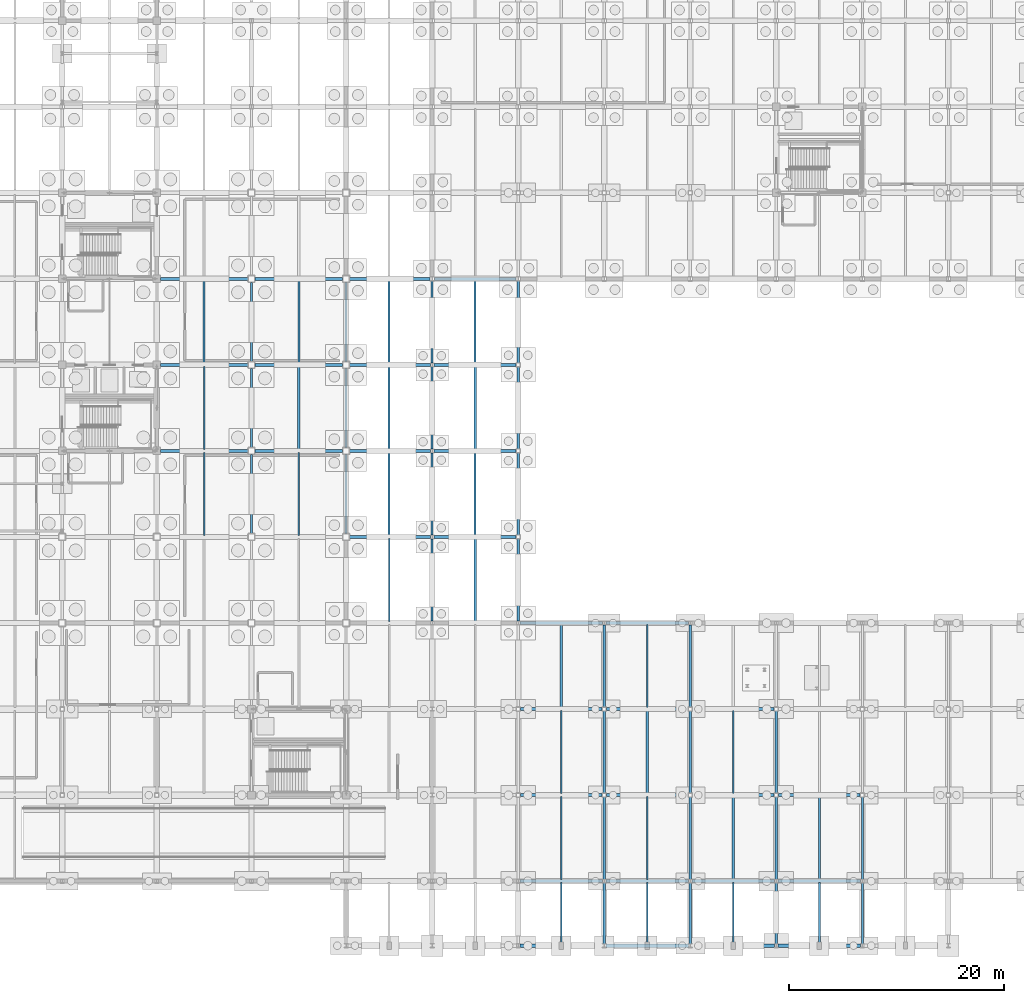
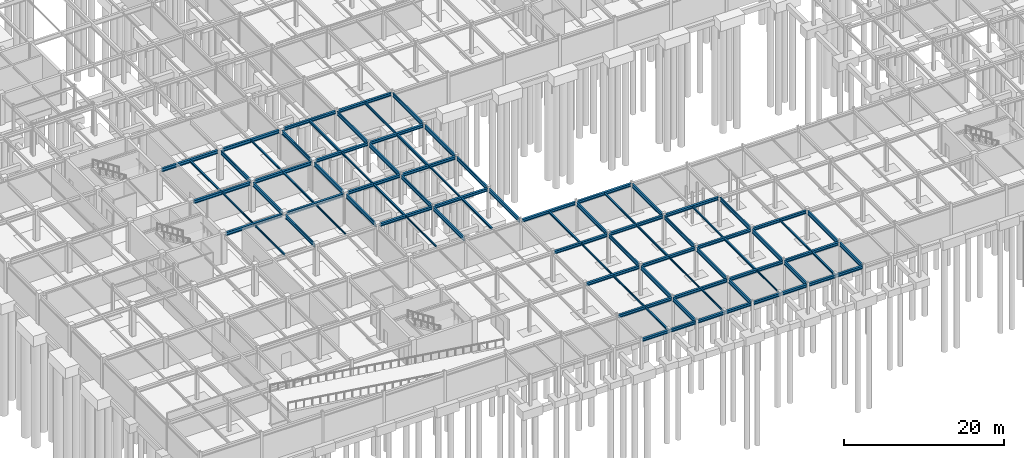
# One storey, part 34 of 72: 85 beams.
"""IFC4 building model written with IfcOpenShell, lengths in metres."""

from ifc_helpers import new_model, si_unit, direction, frame, origin, origin_2d, place, context, subcontext, project, spatial, i_section, extrude, material, material_profile, profile_set, type_object, element, save


model = new_model("IFC4")

# Units and contexts
model_context = context("Model", 3, precision=1e-05, world=origin(), true_north=direction((0.0, 1.0)))
body_context = subcontext(model_context, "Body", "Model", "MODEL_VIEW")
ifc_project = project(units=[si_unit("LENGTHUNIT", "METRE"), si_unit("AREAUNIT", "SQUARE_METRE"), si_unit("VOLUMEUNIT", "CUBIC_METRE"), si_unit("PLANEANGLEUNIT", "RADIAN"), si_unit("MASSUNIT", "GRAM", prefix="KILO")], contexts=[model_context])

# Site, building, storey
site_placement = place(None, origin())
site = spatial("IfcSite", under=ifc_project, at=site_placement, CompositionType="ELEMENT")
building_placement = place(site_placement, origin())
building = spatial("IfcBuilding", under=site, at=building_placement, Name="Zhaolan Boulevard Law Courts", CompositionType="ELEMENT")
storey_placement = place(building_placement, frame((0.0, 0.0, -4.800048828125)))
storey = spatial("IfcBuildingStorey", under=building, at=storey_placement, Name="B1", CompositionType="ELEMENT", Elevation=-4.800048828125)

# Beams
ifc_material_1 = material(Name="Structural steel Q355B", Category="steel")
ifc_material_profile_1 = material_profile(ifc_material_1, i_section(OverallWidth=0.300048828125, OverallDepth=0.43994140625, WebThickness=0.010986328125, FlangeThickness=0.01806640625, FilletRadius=0.02001953125, at=origin_2d()), Name="HM440x300")
ifc_profile_set_1 = profile_set([ifc_material_profile_1], Name="Structural steel Q355B")
beam_type_1 = type_object("IfcBeamType", Name="GIRDER HM440", PredefinedType="BEAM", material=ifc_profile_set_1)
for number, where, z_axis, x_axis, name in (
    (1, (60.1708984375, 0.0, 4.328125), (1.0, 0.0, 0.0), (0.0, 1.0, 0.0), "Beam BX-L00-8-9-A"),
    (2, (68.1708984375, 0.0, 4.328125), (1.0, 0.0, 0.0), (0.0, 1.0, 0.0), "Beam BX-L00-9-10-A"),
    (3, (76.1708984375, 0.0, 4.328125), (1.0, 0.0, 0.0), (0.0, 1.0, 0.0), "Beam BX-L00-10-11-A"),
    (4, (84.1708984375, 0.0, 4.328125), (1.0, 0.0, 0.0), (0.0, 1.0, 0.0), "Beam BX-L00-11-12-A"),
    (5, (60.1708984375, 6.0, 4.278076171875), (1.0, 0.0, 0.0), (0.0, 1.0, 0.0), "Beam BX-L00-8-9-B"),
    (6, (68.1708984375, 6.0, 4.278076171875), (1.0, 0.0, 0.0), (0.0, 1.0, 0.0), "Beam BX-L00-9-10-B"),
    (7, (76.1708984375, 6.0, 4.278076171875), (1.0, 0.0, 0.0), (0.0, 1.0, 0.0), "Beam BX-L00-10-11-B"),
    (8, (84.1708984375, 6.0, 4.278076171875), (1.0, 0.0, 0.0), (0.0, 1.0, 0.0), "Beam BX-L00-11-12-B"),
):
    element("IfcBeam", number, at=place(storey_placement, frame(where, z_axis=z_axis, x_axis=x_axis)), inside=storey, type_object=beam_type_1, Name=name, PredefinedType="BEAM", context=body_context, shape_type="SweptSolid", body=[
        extrude(i_section(OverallWidth=0.300048828125, OverallDepth=0.43994140625, WebThickness=0.010986328125, FlangeThickness=0.01806640625, FilletRadius=0.02001953125, at=origin_2d()), origin(), (0.0, 0.0, 1.0), 7.658203125),
    ])
for number, where, z_axis, x_axis, name in (
    (9, (60.196044921875, 14.0, 4.278076171875), (1.0, 0.0, 0.0), (0.0, 1.0, 0.0), "Beam BX-L00-8-9-C"),
    (10, (68.196044921875, 14.0, 4.278076171875), (1.0, 0.0, 0.0), (0.0, 1.0, 0.0), "Beam BX-L00-9-10-C"),
    (11, (76.196044921875, 14.0, 4.278076171875), (1.0, 0.0, 0.0), (0.0, 1.0, 0.0), "Beam BX-L00-10-11-C"),
    (12, (84.196044921875, 14.0, 4.278076171875), (1.0, 0.0, 0.0), (0.0, 1.0, 0.0), "Beam BX-L00-11-12-C"),
    (13, (60.196044921875, 22.0, 4.278076171875), (1.0, 0.0, 0.0), (0.0, 1.0, 0.0), "Beam BX-L00-8-9-D"),
    (14, (68.196044921875, 22.0, 4.278076171875), (1.0, 0.0, 0.0), (0.0, 1.0, 0.0), "Beam BX-L00-9-10-D"),
    (15, (76.196044921875, 22.0, 4.278076171875), (1.0, 0.0, 0.0), (0.0, 1.0, 0.0), "Beam BX-L00-10-11-D"),
):
    element("IfcBeam", number, at=place(storey_placement, frame(where, z_axis=z_axis, x_axis=x_axis)), inside=storey, type_object=beam_type_1, Name=name, PredefinedType="BEAM", context=body_context, shape_type="SweptSolid", body=[
        extrude(i_section(OverallWidth=0.300048828125, OverallDepth=0.43994140625, WebThickness=0.010986328125, FlangeThickness=0.01806640625, FilletRadius=0.02001953125, at=origin_2d()), origin(), (0.0, 0.0, 1.0), 7.60791015625),
    ])
for number, where, z_axis, x_axis, name in (
    (16, (60.1708984375, 30.0, 4.278076171875), (1.0, 0.0, 0.0), (0.0, 1.0, 0.0), "Beam BX-L00-8-9-E"),
    (17, (68.1708984375, 30.0, 4.278076171875), (1.0, 0.0, 0.0), (0.0, 1.0, 0.0), "Beam BX-L00-9-10-E"),
):
    element("IfcBeam", number, at=place(storey_placement, frame(where, z_axis=z_axis, x_axis=x_axis)), inside=storey, type_object=beam_type_1, Name=name, PredefinedType="BEAM", context=body_context, shape_type="SweptSolid", body=[
        extrude(i_section(OverallWidth=0.300048828125, OverallDepth=0.43994140625, WebThickness=0.010986328125, FlangeThickness=0.01806640625, FilletRadius=0.02001953125, at=origin_2d()), origin(), (0.0, 0.0, 1.0), 7.658203125),
    ])
beam_1_placement = place(storey_placement, frame((44.321044921875, 38.0, 4.328125), z_axis=(1.0, 0.0, 0.0), x_axis=(0.0, 1.0, 0.0)))
element("IfcBeam", 18, at=beam_1_placement, inside=storey, type_object=beam_type_1, Name="Beam BX-L00-6-7-F", PredefinedType="BEAM", context=body_context, shape_type="SweptSolid", body=[
    extrude(i_section(OverallWidth=0.300048828125, OverallDepth=0.43994140625, WebThickness=0.010986328125, FlangeThickness=0.01806640625, FilletRadius=0.02001953125, at=origin_2d()), origin(), (0.0, 0.0, 1.0), 7.508056640625),
])
beam_2_placement = place(storey_placement, frame((52.1708984375, 38.0, 4.298095703125), z_axis=(1.0, 0.0, 0.0), x_axis=(0.0, 1.0, 0.0)))
element("IfcBeam", 19, at=beam_2_placement, inside=storey, type_object=beam_type_1, Name="Beam BX-L00-7-8-F", PredefinedType="BEAM", context=body_context, shape_type="SweptSolid", body=[
    extrude(i_section(OverallWidth=0.300048828125, OverallDepth=0.43994140625, WebThickness=0.010986328125, FlangeThickness=0.01806640625, FilletRadius=0.02001953125, at=origin_2d()), origin(), (0.0, 0.0, 1.0), 7.633056640625),
])
beam_3_placement = place(storey_placement, frame((44.321044921875, 46.0, 4.328125), z_axis=(1.0, 0.0, 0.0), x_axis=(0.0, 1.0, 0.0)))
element("IfcBeam", 20, at=beam_3_placement, inside=storey, type_object=beam_type_1, Name="Beam BX-L00-6-7-G", PredefinedType="BEAM", context=body_context, shape_type="SweptSolid", body=[
    extrude(i_section(OverallWidth=0.300048828125, OverallDepth=0.43994140625, WebThickness=0.010986328125, FlangeThickness=0.01806640625, FilletRadius=0.02001953125, at=origin_2d()), origin(), (0.0, 0.0, 1.0), 7.508056640625),
])
beam_4_placement = place(storey_placement, frame((52.1708984375, 46.0, 4.298095703125), z_axis=(1.0, 0.0, 0.0), x_axis=(0.0, 1.0, 0.0)))
element("IfcBeam", 21, at=beam_4_placement, inside=storey, type_object=beam_type_1, Name="Beam BX-L00-7-8-G", PredefinedType="BEAM", context=body_context, shape_type="SweptSolid", body=[
    extrude(i_section(OverallWidth=0.300048828125, OverallDepth=0.43994140625, WebThickness=0.010986328125, FlangeThickness=0.01806640625, FilletRadius=0.02001953125, at=origin_2d()), origin(), (0.0, 0.0, 1.0), 7.633056640625),
])
beam_5_placement = place(storey_placement, frame((44.321044921875, 54.0, 4.328125), z_axis=(1.0, 0.0, 0.0), x_axis=(0.0, 1.0, 0.0)))
element("IfcBeam", 22, at=beam_5_placement, inside=storey, type_object=beam_type_1, Name="Beam BX-L00-6-7-H", PredefinedType="BEAM", context=body_context, shape_type="SweptSolid", body=[
    extrude(i_section(OverallWidth=0.300048828125, OverallDepth=0.43994140625, WebThickness=0.010986328125, FlangeThickness=0.01806640625, FilletRadius=0.02001953125, at=origin_2d()), origin(), (0.0, 0.0, 1.0), 7.508056640625),
])
beam_6_placement = place(storey_placement, frame((52.1708984375, 54.0, 4.298095703125), z_axis=(1.0, 0.0, 0.0), x_axis=(0.0, 1.0, 0.0)))
element("IfcBeam", 23, at=beam_6_placement, inside=storey, type_object=beam_type_1, Name="Beam BX-L00-7-8-H", PredefinedType="BEAM", context=body_context, shape_type="SweptSolid", body=[
    extrude(i_section(OverallWidth=0.300048828125, OverallDepth=0.43994140625, WebThickness=0.010986328125, FlangeThickness=0.01806640625, FilletRadius=0.02001953125, at=origin_2d()), origin(), (0.0, 0.0, 1.0), 7.633056640625),
])
beam_7_placement = place(storey_placement, frame((44.321044921875, 62.0, 4.328125), z_axis=(1.0, 0.0, 0.0), x_axis=(0.0, 1.0, 0.0)))
element("IfcBeam", 24, at=beam_7_placement, inside=storey, type_object=beam_type_1, Name="Beam BX-L00-6-7-J", PredefinedType="BEAM", context=body_context, shape_type="SweptSolid", body=[
    extrude(i_section(OverallWidth=0.300048828125, OverallDepth=0.43994140625, WebThickness=0.010986328125, FlangeThickness=0.01806640625, FilletRadius=0.02001953125, at=origin_2d()), origin(), (0.0, 0.0, 1.0), 7.48291015625),
])
beam_8_placement = place(storey_placement, frame((52.196044921875, 62.0, 4.278076171875), z_axis=(1.0, 0.0, 0.0), x_axis=(0.0, 1.0, 0.0)))
element("IfcBeam", 25, at=beam_8_placement, inside=storey, type_object=beam_type_1, Name="Beam BX-L00-7-8-J", PredefinedType="BEAM", context=body_context, shape_type="SweptSolid", body=[
    extrude(i_section(OverallWidth=0.300048828125, OverallDepth=0.43994140625, WebThickness=0.010986328125, FlangeThickness=0.01806640625, FilletRadius=0.02001953125, at=origin_2d()), origin(), (0.0, 0.0, 1.0), 7.60791015625),
])
ifc_material_2 = material(Name="Structural steel Q355B", Category="steel")
ifc_material_profile_2 = material_profile(ifc_material_2, i_section(OverallWidth=0.300048828125, OverallDepth=0.488037109375, WebThickness=0.010986328125, FlangeThickness=0.01806640625, FilletRadius=0.02197265625, at=origin_2d()), Name="HM488x300")
ifc_profile_set_2 = profile_set([ifc_material_profile_2], Name="Structural steel Q355B")
beam_type_2 = type_object("IfcBeamType", Name="GIRDER HM500", PredefinedType="BEAM", material=ifc_profile_set_2)
beam_9_placement = place(storey_placement, frame((26.74609375, 46.0, 4.254150390625), z_axis=(1.0, 0.0, 0.0), x_axis=(0.0, 1.0, 0.0)))
element("IfcBeam", 26, at=beam_9_placement, inside=storey, type_object=beam_type_2, Name="Beam BX-L00-4-5-G", PredefinedType="BEAM", context=body_context, shape_type="SweptSolid", body=[
    extrude(i_section(OverallWidth=0.300048828125, OverallDepth=0.488037109375, WebThickness=0.010986328125, FlangeThickness=0.01806640625, FilletRadius=0.02197265625, at=origin_2d()), origin(), (0.0, 0.0, 1.0), 8.1328125),
])
beam_10_placement = place(storey_placement, frame((35.52099609375, 46.0, 4.254150390625), z_axis=(1.0, 0.0, 0.0), x_axis=(0.0, 1.0, 0.0)))
element("IfcBeam", 27, at=beam_10_placement, inside=storey, type_object=beam_type_2, Name="Beam BX-L00-5-6-G", PredefinedType="BEAM", context=body_context, shape_type="SweptSolid", body=[
    extrude(i_section(OverallWidth=0.300048828125, OverallDepth=0.488037109375, WebThickness=0.010986328125, FlangeThickness=0.01806640625, FilletRadius=0.02197265625, at=origin_2d()), origin(), (0.0, 0.0, 1.0), 8.157958984375),
])
beam_11_placement = place(storey_placement, frame((26.74609375, 54.0, 4.254150390625), z_axis=(1.0, 0.0, 0.0), x_axis=(0.0, 1.0, 0.0)))
element("IfcBeam", 28, at=beam_11_placement, inside=storey, type_object=beam_type_2, Name="Beam BX-L00-4-5-H", PredefinedType="BEAM", context=body_context, shape_type="SweptSolid", body=[
    extrude(i_section(OverallWidth=0.300048828125, OverallDepth=0.488037109375, WebThickness=0.010986328125, FlangeThickness=0.01806640625, FilletRadius=0.02197265625, at=origin_2d()), origin(), (0.0, 0.0, 1.0), 8.1328125),
])
beam_12_placement = place(storey_placement, frame((35.52099609375, 54.0, 4.254150390625), z_axis=(1.0, 0.0, 0.0), x_axis=(0.0, 1.0, 0.0)))
element("IfcBeam", 29, at=beam_12_placement, inside=storey, type_object=beam_type_2, Name="Beam BX-L00-5-6-H", PredefinedType="BEAM", context=body_context, shape_type="SweptSolid", body=[
    extrude(i_section(OverallWidth=0.300048828125, OverallDepth=0.488037109375, WebThickness=0.010986328125, FlangeThickness=0.01806640625, FilletRadius=0.02197265625, at=origin_2d()), origin(), (0.0, 0.0, 1.0), 8.157958984375),
])
beam_13_placement = place(storey_placement, frame((26.74609375, 62.0, 4.254150390625), z_axis=(1.0, 0.0, 0.0), x_axis=(0.0, 1.0, 0.0)))
element("IfcBeam", 30, at=beam_13_placement, inside=storey, type_object=beam_type_2, Name="Beam BX-L00-4-5-J", PredefinedType="BEAM", context=body_context, shape_type="SweptSolid", body=[
    extrude(i_section(OverallWidth=0.300048828125, OverallDepth=0.488037109375, WebThickness=0.010986328125, FlangeThickness=0.01806640625, FilletRadius=0.02197265625, at=origin_2d()), origin(), (0.0, 0.0, 1.0), 8.1328125),
])
beam_14_placement = place(storey_placement, frame((35.52099609375, 62.0, 4.254150390625), z_axis=(1.0, 0.0, 0.0), x_axis=(0.0, 1.0, 0.0)))
element("IfcBeam", 31, at=beam_14_placement, inside=storey, type_object=beam_type_2, Name="Beam BX-L00-5-6-J", PredefinedType="BEAM", context=body_context, shape_type="SweptSolid", body=[
    extrude(i_section(OverallWidth=0.300048828125, OverallDepth=0.488037109375, WebThickness=0.010986328125, FlangeThickness=0.01806640625, FilletRadius=0.02197265625, at=origin_2d()), origin(), (0.0, 0.0, 1.0), 8.157958984375),
])
ifc_material_3 = material(Name="Structural steel Q355B", Category="steel")
ifc_material_profile_3 = material_profile(ifc_material_3, i_section(OverallWidth=0.199951171875, OverallDepth=0.60009765625, WebThickness=0.010986328125, FlangeThickness=0.01708984375, FilletRadius=0.02001953125, at=origin_2d()), Name="HN600x200")
ifc_profile_set_3 = profile_set([ifc_material_profile_3], Name="Structural steel Q355B")
beam_type_3 = type_object("IfcBeamType", Name="GIRDER HN600", PredefinedType="BEAM", material=ifc_profile_set_3)
for number, where, z_axis, x_axis, name in (
    (32, (35.199951171875, 38.321044921875, 4.197998046875), (0.0, 1.0, 0.0), (-1.0, 0.0, 0.0), "Beam BY-L00-5-F-G"),
    (33, (35.199951171875, 46.321044921875, 4.197998046875), (0.0, 1.0, 0.0), (-1.0, 0.0, 0.0), "Beam BY-L00-5-G-H"),
    (34, (35.199951171875, 54.321044921875, 4.197998046875), (0.0, 1.0, 0.0), (-1.0, 0.0, 0.0), "Beam BY-L00-5-H-J"),
    (35, (44.0, 38.321044921875, 4.197998046875), (0.0, 1.0, 0.0), (-1.0, 0.0, 0.0), "Beam BY-L00-6-F-G"),
    (36, (44.0, 46.321044921875, 4.197998046875), (0.0, 1.0, 0.0), (-1.0, 0.0, 0.0), "Beam BY-L00-6-G-H"),
    (37, (44.0, 54.321044921875, 4.197998046875), (0.0, 1.0, 0.0), (-1.0, 0.0, 0.0), "Beam BY-L00-6-H-J"),
):
    element("IfcBeam", number, at=place(storey_placement, frame(where, z_axis=z_axis, x_axis=x_axis)), inside=storey, type_object=beam_type_3, Name=name, PredefinedType="BEAM", context=body_context, shape_type="SweptSolid", body=[
        extrude(i_section(OverallWidth=0.199951171875, OverallDepth=0.60009765625, WebThickness=0.010986328125, FlangeThickness=0.01708984375, FilletRadius=0.02001953125, at=origin_2d()), origin(), (0.0, 0.0, 1.0), 7.35791015625),
    ])
for number, where, z_axis, x_axis, name in (
    (38, (52.0, 30.1708984375, 4.218017578125), (0.0, 1.0, 0.0), (-1.0, 0.0, 0.0), "Beam BY-L00-7-E-F"),
    (39, (52.0, 38.1708984375, 4.218017578125), (0.0, 1.0, 0.0), (-1.0, 0.0, 0.0), "Beam BY-L00-7-F-G"),
    (40, (52.0, 46.1708984375, 4.218017578125), (0.0, 1.0, 0.0), (-1.0, 0.0, 0.0), "Beam BY-L00-7-G-H"),
):
    element("IfcBeam", number, at=place(storey_placement, frame(where, z_axis=z_axis, x_axis=x_axis)), inside=storey, type_object=beam_type_3, Name=name, PredefinedType="BEAM", context=body_context, shape_type="SweptSolid", body=[
        extrude(i_section(OverallWidth=0.199951171875, OverallDepth=0.60009765625, WebThickness=0.010986328125, FlangeThickness=0.01708984375, FilletRadius=0.02001953125, at=origin_2d()), origin(), (0.0, 0.0, 1.0), 7.658203125),
    ])
for number, where, z_axis, x_axis, name in (
    (41, (52.0, 54.1708984375, 4.218017578125), (0.0, 1.0, 0.0), (-1.0, 0.0, 0.0), "Beam BY-L00-7-H-J"),
    (42, (60.0, 30.1708984375, 4.218017578125), (0.0, 1.0, 0.0), (-1.0, 0.0, 0.0), "Beam BY-L00-8-E-F"),
):
    element("IfcBeam", number, at=place(storey_placement, frame(where, z_axis=z_axis, x_axis=x_axis)), inside=storey, type_object=beam_type_3, Name=name, PredefinedType="BEAM", context=body_context, shape_type="SweptSolid", body=[
        extrude(i_section(OverallWidth=0.199951171875, OverallDepth=0.60009765625, WebThickness=0.010986328125, FlangeThickness=0.01708984375, FilletRadius=0.02001953125, at=origin_2d()), origin(), (0.0, 0.0, 1.0), 7.633056640625),
    ])
for number, where, z_axis, x_axis, name in (
    (43, (60.0, 38.196044921875, 4.218017578125), (0.0, 1.0, 0.0), (-1.0, 0.0, 0.0), "Beam BY-L00-8-F-G"),
    (44, (60.0, 46.196044921875, 4.218017578125), (0.0, 1.0, 0.0), (-1.0, 0.0, 0.0), "Beam BY-L00-8-G-H"),
    (45, (60.0, 54.196044921875, 4.218017578125), (0.0, 1.0, 0.0), (-1.0, 0.0, 0.0), "Beam BY-L00-8-H-J"),
):
    element("IfcBeam", number, at=place(storey_placement, frame(where, z_axis=z_axis, x_axis=x_axis)), inside=storey, type_object=beam_type_3, Name=name, PredefinedType="BEAM", context=body_context, shape_type="SweptSolid", body=[
        extrude(i_section(OverallWidth=0.199951171875, OverallDepth=0.60009765625, WebThickness=0.010986328125, FlangeThickness=0.01708984375, FilletRadius=0.02001953125, at=origin_2d()), origin(), (0.0, 0.0, 1.0), 7.60791015625),
    ])
beam_15_placement = place(storey_placement, frame((68.0, 0.1708984375, 4.248046875), z_axis=(0.0, 1.0, 0.0), x_axis=(-1.0, 0.0, 0.0)))
element("IfcBeam", 46, at=beam_15_placement, inside=storey, type_object=beam_type_3, Name="Beam BY-L00-9-A-B", PredefinedType="BEAM", context=body_context, shape_type="SweptSolid", body=[
    extrude(i_section(OverallWidth=0.199951171875, OverallDepth=0.60009765625, WebThickness=0.010986328125, FlangeThickness=0.01708984375, FilletRadius=0.02001953125, at=origin_2d()), origin(), (0.0, 0.0, 1.0), 5.658203125),
])
beam_16_placement = place(storey_placement, frame((68.0, 6.1708984375, 4.197998046875), z_axis=(0.0, 1.0, 0.0), x_axis=(-1.0, 0.0, 0.0)))
element("IfcBeam", 47, at=beam_16_placement, inside=storey, type_object=beam_type_3, Name="Beam BY-L00-9-B-C", PredefinedType="BEAM", context=body_context, shape_type="SweptSolid", body=[
    extrude(i_section(OverallWidth=0.199951171875, OverallDepth=0.60009765625, WebThickness=0.010986328125, FlangeThickness=0.01708984375, FilletRadius=0.02001953125, at=origin_2d()), origin(), (0.0, 0.0, 1.0), 7.633056640625),
])
beam_17_placement = place(storey_placement, frame((68.0, 14.196044921875, 4.197998046875), z_axis=(0.0, 1.0, 0.0), x_axis=(-1.0, 0.0, 0.0)))
element("IfcBeam", 48, at=beam_17_placement, inside=storey, type_object=beam_type_3, Name="Beam BY-L00-9-C-D", PredefinedType="BEAM", context=body_context, shape_type="SweptSolid", body=[
    extrude(i_section(OverallWidth=0.199951171875, OverallDepth=0.60009765625, WebThickness=0.010986328125, FlangeThickness=0.01708984375, FilletRadius=0.02001953125, at=origin_2d()), origin(), (0.0, 0.0, 1.0), 7.60791015625),
])
beam_18_placement = place(storey_placement, frame((68.0, 22.196044921875, 4.197998046875), z_axis=(0.0, 1.0, 0.0), x_axis=(-1.0, 0.0, 0.0)))
element("IfcBeam", 49, at=beam_18_placement, inside=storey, type_object=beam_type_3, Name="Beam BY-L00-9-D-E", PredefinedType="BEAM", context=body_context, shape_type="SweptSolid", body=[
    extrude(i_section(OverallWidth=0.199951171875, OverallDepth=0.60009765625, WebThickness=0.010986328125, FlangeThickness=0.01708984375, FilletRadius=0.02001953125, at=origin_2d()), origin(), (0.0, 0.0, 1.0), 7.633056640625),
])
beam_19_placement = place(storey_placement, frame((76.0, 0.1708984375, 4.248046875), z_axis=(0.0, 1.0, 0.0), x_axis=(-1.0, 0.0, 0.0)))
element("IfcBeam", 50, at=beam_19_placement, inside=storey, type_object=beam_type_3, Name="Beam BY-L00-10-A-B", PredefinedType="BEAM", context=body_context, shape_type="SweptSolid", body=[
    extrude(i_section(OverallWidth=0.199951171875, OverallDepth=0.60009765625, WebThickness=0.010986328125, FlangeThickness=0.01708984375, FilletRadius=0.02001953125, at=origin_2d()), origin(), (0.0, 0.0, 1.0), 5.658203125),
])
beam_20_placement = place(storey_placement, frame((76.0, 6.1708984375, 4.197998046875), z_axis=(0.0, 1.0, 0.0), x_axis=(-1.0, 0.0, 0.0)))
element("IfcBeam", 51, at=beam_20_placement, inside=storey, type_object=beam_type_3, Name="Beam BY-L00-10-B-C", PredefinedType="BEAM", context=body_context, shape_type="SweptSolid", body=[
    extrude(i_section(OverallWidth=0.199951171875, OverallDepth=0.60009765625, WebThickness=0.010986328125, FlangeThickness=0.01708984375, FilletRadius=0.02001953125, at=origin_2d()), origin(), (0.0, 0.0, 1.0), 7.633056640625),
])
beam_21_placement = place(storey_placement, frame((76.0, 14.196044921875, 4.197998046875), z_axis=(0.0, 1.0, 0.0), x_axis=(-1.0, 0.0, 0.0)))
element("IfcBeam", 52, at=beam_21_placement, inside=storey, type_object=beam_type_3, Name="Beam BY-L00-10-C-D", PredefinedType="BEAM", context=body_context, shape_type="SweptSolid", body=[
    extrude(i_section(OverallWidth=0.199951171875, OverallDepth=0.60009765625, WebThickness=0.010986328125, FlangeThickness=0.01708984375, FilletRadius=0.02001953125, at=origin_2d()), origin(), (0.0, 0.0, 1.0), 7.60791015625),
])
beam_22_placement = place(storey_placement, frame((76.0, 22.196044921875, 4.197998046875), z_axis=(0.0, 1.0, 0.0), x_axis=(-1.0, 0.0, 0.0)))
element("IfcBeam", 53, at=beam_22_placement, inside=storey, type_object=beam_type_3, Name="Beam BY-L00-10-D-E", PredefinedType="BEAM", context=body_context, shape_type="SweptSolid", body=[
    extrude(i_section(OverallWidth=0.199951171875, OverallDepth=0.60009765625, WebThickness=0.010986328125, FlangeThickness=0.01708984375, FilletRadius=0.02001953125, at=origin_2d()), origin(), (0.0, 0.0, 1.0), 7.633056640625),
])
beam_23_placement = place(storey_placement, frame((84.0, 0.1708984375, 4.248046875), z_axis=(0.0, 1.0, 0.0), x_axis=(-1.0, 0.0, 0.0)))
element("IfcBeam", 54, at=beam_23_placement, inside=storey, type_object=beam_type_3, Name="Beam BY-L00-11-A-B", PredefinedType="BEAM", context=body_context, shape_type="SweptSolid", body=[
    extrude(i_section(OverallWidth=0.199951171875, OverallDepth=0.60009765625, WebThickness=0.010986328125, FlangeThickness=0.01708984375, FilletRadius=0.02001953125, at=origin_2d()), origin(), (0.0, 0.0, 1.0), 5.658203125),
])
beam_24_placement = place(storey_placement, frame((84.0, 6.1708984375, 4.197998046875), z_axis=(0.0, 1.0, 0.0), x_axis=(-1.0, 0.0, 0.0)))
element("IfcBeam", 55, at=beam_24_placement, inside=storey, type_object=beam_type_3, Name="Beam BY-L00-11-B-C", PredefinedType="BEAM", context=body_context, shape_type="SweptSolid", body=[
    extrude(i_section(OverallWidth=0.199951171875, OverallDepth=0.60009765625, WebThickness=0.010986328125, FlangeThickness=0.01708984375, FilletRadius=0.02001953125, at=origin_2d()), origin(), (0.0, 0.0, 1.0), 7.633056640625),
])
beam_25_placement = place(storey_placement, frame((84.0, 14.196044921875, 4.197998046875), z_axis=(0.0, 1.0, 0.0), x_axis=(-1.0, 0.0, 0.0)))
element("IfcBeam", 56, at=beam_25_placement, inside=storey, type_object=beam_type_3, Name="Beam BY-L00-11-C-D", PredefinedType="BEAM", context=body_context, shape_type="SweptSolid", body=[
    extrude(i_section(OverallWidth=0.199951171875, OverallDepth=0.60009765625, WebThickness=0.010986328125, FlangeThickness=0.01708984375, FilletRadius=0.02001953125, at=origin_2d()), origin(), (0.0, 0.0, 1.0), 7.60791015625),
])
beam_26_placement = place(storey_placement, frame((92.0, 0.1708984375, 4.248046875), z_axis=(0.0, 1.0, 0.0), x_axis=(-1.0, 0.0, 0.0)))
element("IfcBeam", 57, at=beam_26_placement, inside=storey, type_object=beam_type_3, Name="Beam BY-L00-12-A-B", PredefinedType="BEAM", context=body_context, shape_type="SweptSolid", body=[
    extrude(i_section(OverallWidth=0.199951171875, OverallDepth=0.60009765625, WebThickness=0.010986328125, FlangeThickness=0.01708984375, FilletRadius=0.02001953125, at=origin_2d()), origin(), (0.0, 0.0, 1.0), 5.658203125),
])
beam_27_placement = place(storey_placement, frame((92.0, 6.1708984375, 4.197998046875), z_axis=(0.0, 1.0, 0.0), x_axis=(-1.0, 0.0, 0.0)))
element("IfcBeam", 58, at=beam_27_placement, inside=storey, type_object=beam_type_3, Name="Beam BY-L00-12-B-C", PredefinedType="BEAM", context=body_context, shape_type="SweptSolid", body=[
    extrude(i_section(OverallWidth=0.199951171875, OverallDepth=0.60009765625, WebThickness=0.010986328125, FlangeThickness=0.01708984375, FilletRadius=0.02001953125, at=origin_2d()), origin(), (0.0, 0.0, 1.0), 7.633056640625),
])
ifc_material_4 = material(Name="Structural steel Q355B", Category="steel")
ifc_material_profile_4 = material_profile(ifc_material_4, i_section(OverallWidth=0.175048828125, OverallDepth=0.243896484375, WebThickness=0.007080078125, FlangeThickness=0.010986328125, FilletRadius=0.012939453125, at=origin_2d()), Name="HM244x175")
ifc_profile_set_4 = profile_set([ifc_material_profile_4], Name="Structural steel Q355B")
beam_type_4 = type_object("IfcBeamType", Name="JOIST HM244", PredefinedType="JOIST", material=ifc_profile_set_4)
for number, where, z_axis, x_axis, name in (
    (59, (39.60009765625, 54.14599609375, 4.3759765625), (0.0, 1.0, 0.0), (-1.0, 0.0, 0.0), "Composite Joist J-L00-5H"),
    (60, (48.0, 46.14599609375, 4.426025390625), (0.0, 1.0, 0.0), (-1.0, 0.0, 0.0), "Composite Joist J-L00-6G"),
    (61, (56.0, 38.14599609375, 4.39599609375), (0.0, 1.0, 0.0), (-1.0, 0.0, 0.0), "Composite Joist J-L00-7F"),
    (62, (72.0, 22.14599609375, 4.3759765625), (0.0, 1.0, 0.0), (-1.0, 0.0, 0.0), "Composite Joist J-L00-9D"),
    (63, (80.0, 14.14599609375, 4.3759765625), (0.0, 1.0, 0.0), (-1.0, 0.0, 0.0), "Composite Joist J-L00-10C"),
    (64, (88.0, 6.14599609375, 4.3759765625), (0.0, 1.0, 0.0), (-1.0, 0.0, 0.0), "Composite Joist J-L00-11B"),
):
    element("IfcBeam", number, at=place(storey_placement, frame(where, z_axis=z_axis, x_axis=x_axis)), inside=storey, type_object=beam_type_4, Name=name, PredefinedType="JOIST", context=body_context, shape_type="SweptSolid", body=[
        extrude(i_section(OverallWidth=0.175048828125, OverallDepth=0.243896484375, WebThickness=0.007080078125, FlangeThickness=0.010986328125, FilletRadius=0.012939453125, at=origin_2d()), origin(), (0.0, 0.0, 1.0), 7.7080078125),
    ])
ifc_material_5 = material(Name="Structural steel Q355B", Category="steel")
ifc_material_profile_5 = material_profile(ifc_material_5, i_section(OverallWidth=0.199951171875, OverallDepth=0.2939453125, WebThickness=0.008056640625, FlangeThickness=0.011962890625, FilletRadius=0.01611328125, at=origin_2d()), Name="HM294x200")
ifc_profile_set_5 = profile_set([ifc_material_profile_5], Name="Structural steel Q355B")
beam_type_5 = type_object("IfcBeamType", Name="JOIST HM294", PredefinedType="JOIST", material=ifc_profile_set_5)
for number, where, z_axis, x_axis, name in (
    (65, (30.800048828125, 54.14599609375, 4.35107421875), (0.0, 1.0, 0.0), (-1.0, 0.0, 0.0), "Composite Joist J-L00-4H"),
    (66, (39.60009765625, 46.14599609375, 4.35107421875), (0.0, 1.0, 0.0), (-1.0, 0.0, 0.0), "Composite Joist J-L00-5G"),
    (67, (48.0, 38.14599609375, 4.401123046875), (0.0, 1.0, 0.0), (-1.0, 0.0, 0.0), "Composite Joist J-L00-6F"),
    (68, (56.0, 30.14599609375, 4.37109375), (0.0, 1.0, 0.0), (-1.0, 0.0, 0.0), "Composite Joist J-L00-7E"),
    (69, (64.0, 22.14599609375, 4.35107421875), (0.0, 1.0, 0.0), (-1.0, 0.0, 0.0), "Composite Joist J-L00-8D"),
    (70, (72.0, 14.14599609375, 4.35107421875), (0.0, 1.0, 0.0), (-1.0, 0.0, 0.0), "Composite Joist J-L00-9C"),
    (71, (80.0, 6.14599609375, 4.35107421875), (0.0, 1.0, 0.0), (-1.0, 0.0, 0.0), "Composite Joist J-L00-10B"),
):
    element("IfcBeam", number, at=place(storey_placement, frame(where, z_axis=z_axis, x_axis=x_axis)), inside=storey, type_object=beam_type_5, Name=name, PredefinedType="JOIST", context=body_context, shape_type="SweptSolid", body=[
        extrude(i_section(OverallWidth=0.199951171875, OverallDepth=0.2939453125, WebThickness=0.008056640625, FlangeThickness=0.011962890625, FilletRadius=0.01611328125, at=origin_2d()), origin(), (0.0, 0.0, 1.0), 7.7080078125),
    ])
beam_28_placement = place(storey_placement, frame((88.0, 0.14599609375, 4.401123046875), z_axis=(0.0, 1.0, 0.0), x_axis=(-1.0, 0.0, 0.0)))
element("IfcBeam", 72, at=beam_28_placement, inside=storey, type_object=beam_type_5, Name="Composite Joist J-L00-11A", PredefinedType="JOIST", context=body_context, shape_type="SweptSolid", body=[
    extrude(i_section(OverallWidth=0.199951171875, OverallDepth=0.2939453125, WebThickness=0.008056640625, FlangeThickness=0.011962890625, FilletRadius=0.01611328125, at=origin_2d()), origin(), (0.0, 0.0, 1.0), 5.7080078125),
])
ifc_material_6 = material(Name="Structural steel Q355B", Category="steel")
ifc_material_profile_6 = material_profile(ifc_material_6, i_section(OverallWidth=0.125, OverallDepth=0.25, WebThickness=0.006103515625, FlangeThickness=0.009033203125, FilletRadius=0.010009765625, at=origin_2d()), Name="HN250x125")
ifc_profile_set_6 = profile_set([ifc_material_profile_6], Name="Structural steel Q355B")
beam_type_6 = type_object("IfcBeamType", Name="JOIST HN250", PredefinedType="JOIST", material=ifc_profile_set_6)
for number, where, z_axis, x_axis, name in (
    (73, (30.800048828125, 46.14599609375, 4.373046875), (0.0, 1.0, 0.0), (-1.0, 0.0, 0.0), "Composite Joist J-L00-4G"),
    (74, (39.60009765625, 38.14599609375, 4.373046875), (0.0, 1.0, 0.0), (-1.0, 0.0, 0.0), "Composite Joist J-L00-5F"),
    (75, (48.0, 30.14599609375, 4.423095703125), (0.0, 1.0, 0.0), (-1.0, 0.0, 0.0), "Composite Joist J-L00-6E"),
    (76, (64.0, 14.14599609375, 4.373046875), (0.0, 1.0, 0.0), (-1.0, 0.0, 0.0), "Composite Joist J-L00-8C"),
    (77, (72.0, 6.14599609375, 4.373046875), (0.0, 1.0, 0.0), (-1.0, 0.0, 0.0), "Composite Joist J-L00-9B"),
):
    element("IfcBeam", number, at=place(storey_placement, frame(where, z_axis=z_axis, x_axis=x_axis)), inside=storey, type_object=beam_type_6, Name=name, PredefinedType="JOIST", context=body_context, shape_type="SweptSolid", body=[
        extrude(i_section(OverallWidth=0.125, OverallDepth=0.25, WebThickness=0.006103515625, FlangeThickness=0.009033203125, FilletRadius=0.010009765625, at=origin_2d()), origin(), (0.0, 0.0, 1.0), 7.7080078125),
    ])
beam_29_placement = place(storey_placement, frame((80.0, 0.14599609375, 4.423095703125), z_axis=(0.0, 1.0, 0.0), x_axis=(-1.0, 0.0, 0.0)))
element("IfcBeam", 78, at=beam_29_placement, inside=storey, type_object=beam_type_6, Name="Composite Joist J-L00-10A", PredefinedType="JOIST", context=body_context, shape_type="SweptSolid", body=[
    extrude(i_section(OverallWidth=0.125, OverallDepth=0.25, WebThickness=0.006103515625, FlangeThickness=0.009033203125, FilletRadius=0.010009765625, at=origin_2d()), origin(), (0.0, 0.0, 1.0), 5.7080078125),
])
ifc_material_7 = material(Name="Structural steel Q355B", Category="steel")
ifc_material_profile_7 = material_profile(ifc_material_7, i_section(OverallWidth=0.14990234375, OverallDepth=0.300048828125, WebThickness=0.006591796875, FlangeThickness=0.009033203125, FilletRadius=0.010986328125, at=origin_2d()), Name="HN300x150")
ifc_profile_set_7 = profile_set([ifc_material_profile_7], Name="Structural steel Q355B")
beam_type_7 = type_object("IfcBeamType", Name="JOIST HN300", PredefinedType="JOIST", material=ifc_profile_set_7)
for number, where, z_axis, x_axis, name in (
    (79, (30.800048828125, 38.14599609375, 4.34814453125), (0.0, 1.0, 0.0), (-1.0, 0.0, 0.0), "Composite Joist J-L00-4F"),
    (80, (64.0, 6.14599609375, 4.34814453125), (0.0, 1.0, 0.0), (-1.0, 0.0, 0.0), "Composite Joist J-L00-8B"),
):
    element("IfcBeam", number, at=place(storey_placement, frame(where, z_axis=z_axis, x_axis=x_axis)), inside=storey, type_object=beam_type_7, Name=name, PredefinedType="JOIST", context=body_context, shape_type="SweptSolid", body=[
        extrude(i_section(OverallWidth=0.14990234375, OverallDepth=0.300048828125, WebThickness=0.006591796875, FlangeThickness=0.009033203125, FilletRadius=0.010986328125, at=origin_2d()), origin(), (0.0, 0.0, 1.0), 7.7080078125),
    ])
beam_30_placement = place(storey_placement, frame((72.0, 0.14599609375, 4.39794921875), z_axis=(0.0, 1.0, 0.0), x_axis=(-1.0, 0.0, 0.0)))
element("IfcBeam", 81, at=beam_30_placement, inside=storey, type_object=beam_type_7, Name="Composite Joist J-L00-9A", PredefinedType="JOIST", context=body_context, shape_type="SweptSolid", body=[
    extrude(i_section(OverallWidth=0.14990234375, OverallDepth=0.300048828125, WebThickness=0.006591796875, FlangeThickness=0.009033203125, FilletRadius=0.010986328125, at=origin_2d()), origin(), (0.0, 0.0, 1.0), 5.7080078125),
])
ifc_material_8 = material(Name="Structural steel Q355B", Category="steel")
ifc_material_profile_8 = material_profile(ifc_material_8, i_section(OverallWidth=0.175048828125, OverallDepth=0.35009765625, WebThickness=0.007080078125, FlangeThickness=0.010986328125, FilletRadius=0.012939453125, at=origin_2d()), Name="HN350x175")
ifc_profile_set_8 = profile_set([ifc_material_profile_8], Name="Structural steel Q355B")
beam_type_8 = type_object("IfcBeamType", Name="JOIST HN350", PredefinedType="JOIST", material=ifc_profile_set_8)
beam_31_placement = place(storey_placement, frame((56.0, 54.14599609375, 4.343017578125), z_axis=(0.0, 1.0, 0.0), x_axis=(-1.0, 0.0, 0.0)))
element("IfcBeam", 82, at=beam_31_placement, inside=storey, type_object=beam_type_8, Name="Composite Joist J-L00-7H", PredefinedType="JOIST", context=body_context, shape_type="SweptSolid", body=[
    extrude(i_section(OverallWidth=0.175048828125, OverallDepth=0.35009765625, WebThickness=0.007080078125, FlangeThickness=0.010986328125, FilletRadius=0.012939453125, at=origin_2d()), origin(), (0.0, 0.0, 1.0), 7.7080078125),
])
beam_32_placement = place(storey_placement, frame((64.0, 0.14599609375, 4.373046875), z_axis=(0.0, 1.0, 0.0), x_axis=(-1.0, 0.0, 0.0)))
element("IfcBeam", 83, at=beam_32_placement, inside=storey, type_object=beam_type_8, Name="Composite Joist J-L00-8A", PredefinedType="JOIST", context=body_context, shape_type="SweptSolid", body=[
    extrude(i_section(OverallWidth=0.175048828125, OverallDepth=0.35009765625, WebThickness=0.007080078125, FlangeThickness=0.010986328125, FilletRadius=0.012939453125, at=origin_2d()), origin(), (0.0, 0.0, 1.0), 5.7080078125),
])
ifc_material_9 = material(Name="Structural steel Q355B", Category="steel")
ifc_material_profile_9 = material_profile(ifc_material_9, i_section(OverallWidth=0.199951171875, OverallDepth=0.39990234375, WebThickness=0.008056640625, FlangeThickness=0.012939453125, FilletRadius=0.013916015625, at=origin_2d()), Name="HN400x200")
ifc_profile_set_9 = profile_set([ifc_material_profile_9], Name="Structural steel Q355B")
beam_type_9 = type_object("IfcBeamType", Name="JOIST HN400", PredefinedType="JOIST", material=ifc_profile_set_9)
for number, where, z_axis, x_axis, name in (
    (84, (48.0, 54.14599609375, 4.34814453125), (0.0, 1.0, 0.0), (-1.0, 0.0, 0.0), "Composite Joist J-L00-6H"),
    (85, (56.0, 46.14599609375, 4.318115234375), (0.0, 1.0, 0.0), (-1.0, 0.0, 0.0), "Composite Joist J-L00-7G"),
):
    element("IfcBeam", number, at=place(storey_placement, frame(where, z_axis=z_axis, x_axis=x_axis)), inside=storey, type_object=beam_type_9, Name=name, PredefinedType="JOIST", context=body_context, shape_type="SweptSolid", body=[
        extrude(i_section(OverallWidth=0.199951171875, OverallDepth=0.39990234375, WebThickness=0.008056640625, FlangeThickness=0.012939453125, FilletRadius=0.013916015625, at=origin_2d()), origin(), (0.0, 0.0, 1.0), 7.7080078125),
    ])

save(model, "model.ifc")
